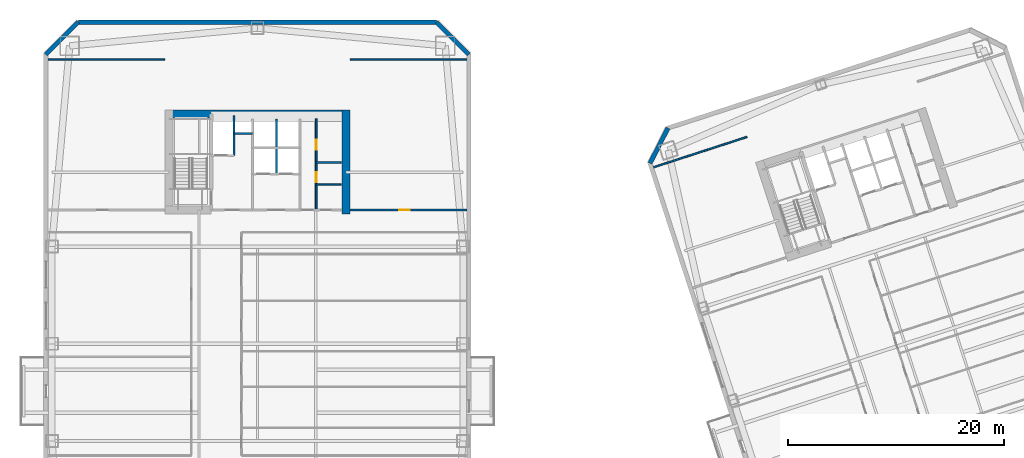
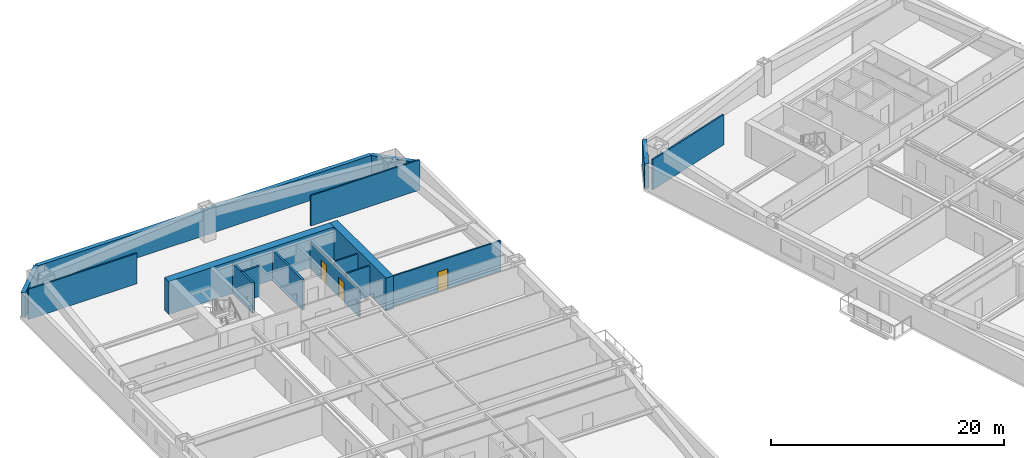
# One storey, part 7 of 15: 16 walls, 3 doors, 3 openings.
"""IFC4 building model written with IfcOpenShell, lengths in metres."""

from ifc_helpers import new_model, si_unit, direction, frame, frame_2d, origin, place, context, subcontext, project, spatial, rectangle, extrude, material, layer, layer_set, type_object, element, fill, save


model = new_model("IFC4")

# Units and contexts
model_context = context("Model", 3, precision=1e-05, world=origin(), true_north=direction((0.0, 1.0)))
body_context = subcontext(model_context, "Body", "Model", "MODEL_VIEW")
ifc_project = project(units=[si_unit("LENGTHUNIT", "METRE"), si_unit("AREAUNIT", "SQUARE_METRE"), si_unit("VOLUMEUNIT", "CUBIC_METRE"), si_unit("PLANEANGLEUNIT", "RADIAN"), si_unit("MASSUNIT", "GRAM", prefix="KILO")], contexts=[model_context])

# Site, building, storey
site_placement = place(None, origin())
site = spatial("IfcSite", under=ifc_project, at=site_placement, CompositionType="ELEMENT")
building_placement = place(site_placement, origin())
building = spatial("IfcBuilding", under=site, at=building_placement, Name="Qiaolan Cultural Towers", CompositionType="ELEMENT")
storey_placement = place(building_placement, frame((0.0, 0.0, 81.64990234375)))
storey = spatial("IfcBuildingStorey", under=building, at=storey_placement, Name="L20", CompositionType="ELEMENT", Elevation=81.64990234375)

# Walls
ifc_material_1 = material(Name="Concrete C60", Category="concrete")
ifc_layer_1 = layer(ifc_material_1, 0.75)
ifc_layer_set_1 = layer_set([ifc_layer_1], Name="Concrete C60")
wall_type_1 = type_object("IfcWallType", Name="WL-CORE-750", PredefinedType="SHEAR", material=ifc_layer_set_1)
wall_1_placement = place(storey_placement, frame((21.425048828125, 55.280029296875, 0.0), z_axis=(0.0, 0.0, 1.0), x_axis=(1.0, 0.0, 0.0)))
element("IfcWall", 1, at=wall_1_placement, inside=storey, type_object=wall_type_1, Name="L20 T1-CN Outer Core Shear Wall", PredefinedType="SHEAR", context=body_context, shape_type="SweptSolid", body=[
    extrude(rectangle(XDim=17.14990234375, YDim=0.75, at=frame_2d((8.574951171875, 0.0))), origin(), (0.0, 0.0, 1.0), 3.4501953125),
])
wall_2_placement = place(storey_placement, frame((38.199951171875, 46.02490234375, 0.0), z_axis=(0.0, 0.0, 1.0), x_axis=(0.0, 1.0, 0.0)))
element("IfcWall", 2, at=wall_2_placement, inside=storey, type_object=wall_type_1, Name="L20 T1-CN East Core Shear Wall", PredefinedType="SHEAR", context=body_context, shape_type="SweptSolid", body=[
    extrude(rectangle(XDim=9.630126953125, YDim=0.75, at=frame_2d((4.81494140625, 0.0))), origin(), (0.0, 0.0, 1.0), 3.4501953125),
])
ifc_material_2 = material(Name="Precast Concrete C50 Honed Stone Pier", Category="masonry")
ifc_layer_2 = layer(ifc_material_2, 0.39990234375)
ifc_layer_set_2 = layer_set([ifc_layer_2], Name="Precast Concrete C50 Honed Stone Pier")
wall_type_2 = type_object("IfcWallType", Name="WL-EXT-PIER-400", PredefinedType="SOLIDWALL", material=ifc_layer_set_2)
wall_3_placement = place(storey_placement, frame((10.39990234375, 60.800048828125, 0.0), z_axis=(0.0, 0.0, 1.0), x_axis=(0.707106781187, 0.707106781187, 0.0)))
element("IfcWall", 3, at=wall_3_placement, inside=storey, type_object=wall_type_2, Name="L20 West Tower Precast Pier Facade Wall F2", PredefinedType="SOLIDWALL", context=body_context, shape_type="SweptSolid", body=[
    extrude(rectangle(XDim=4.24267578125, YDim=0.39990234375, at=frame_2d((2.121337890625, 0.0))), origin(), (0.0, 0.0, 1.0), 2.610107421875),
])
wall_4_placement = place(storey_placement, frame((13.39990234375, 63.800048828125, 0.0), z_axis=(0.0, 0.0, 1.0), x_axis=(1.0, 0.0, 0.0)))
element("IfcWall", 4, at=wall_4_placement, inside=storey, type_object=wall_type_2, Name="L20 West Tower Precast Pier Facade Wall F3", PredefinedType="SOLIDWALL", context=body_context, shape_type="SweptSolid", body=[
    extrude(rectangle(XDim=33.2001953125, YDim=0.39990234375, at=frame_2d((16.60009765625, 0.0))), origin(), (0.0, 0.0, 1.0), 2.610107421875),
])
wall_5_placement = place(storey_placement, frame((46.60009765625, 63.800048828125, 0.0), z_axis=(0.0, 0.0, 1.0), x_axis=(0.707106781187, -0.707106781187, 0.0)))
element("IfcWall", 5, at=wall_5_placement, inside=storey, type_object=wall_type_2, Name="L20 West Tower Precast Pier Facade Wall F4", PredefinedType="SOLIDWALL", context=body_context, shape_type="SweptSolid", body=[
    extrude(rectangle(XDim=4.24267578125, YDim=0.39990234375, at=frame_2d((2.121337890625, 0.0))), origin(), (0.0, 0.0, 1.0), 2.610107421875),
])
wall_6_placement = place(storey_placement, frame((66.37744140625, 50.718505859375, 0.0), z_axis=(0.0, 0.0, 1.0), x_axis=(0.454026238093, 0.890988313685, 0.0)))
element("IfcWall", 6, at=wall_6_placement, inside=storey, type_object=wall_type_2, Name="L20 East Tower Precast Pier Facade Wall F2", PredefinedType="SOLIDWALL", context=body_context, shape_type="SweptSolid", body=[
    extrude(rectangle(XDim=3.677001953125, YDim=0.39990234375, at=frame_2d((1.83837890625, 0.0))), origin(), (0.0, 0.0, 1.0), 2.610107421875),
])
ifc_material_3 = material(Name="Concrete C35 Fire Wall", Category="concrete")
ifc_layer_3 = layer(ifc_material_3, 0.199951171875)
ifc_layer_set_3 = layer_set([ifc_layer_3], Name="Concrete C35 Fire Wall")
wall_type_3 = type_object("IfcWallType", Name="WL-FIRE-200", PredefinedType="PARTITIONING", material=ifc_layer_set_3)
wall_7_placement = place(storey_placement, frame((27.820068359375, 51.449951171875, 0.0), z_axis=(0.0, 0.0, 1.0), x_axis=(0.0, 1.0, 0.0)))
element("IfcWall", 7, at=wall_7_placement, inside=storey, type_object=wall_type_3, Name="L20 T1-CN Firefighting Hoistway East Wall", PredefinedType="PARTITIONING", context=body_context, shape_type="SweptSolid", body=[
    extrude(rectangle(XDim=3.699951171875, YDim=0.199951171875, at=frame_2d((1.85009765625, 0.0))), origin(), (0.0, 0.0, 1.0), 3.175048828125),
])
wall_8_placement = place(storey_placement, frame((27.820068359375, 53.47998046875, 0.0), z_axis=(0.0, 0.0, 1.0), x_axis=(1.0, 0.0, 0.0)))
element("IfcWall", 8, at=wall_8_placement, inside=storey, type_object=wall_type_3, Name="L20 T1-CN Pressurization Shaft Front Wall", PredefinedType="PARTITIONING", context=body_context, shape_type="SweptSolid", body=[
    extrude(rectangle(XDim=1.72998046875, YDim=0.199951171875, at=frame_2d((0.864990234375, 0.0))), origin(), (0.0, 0.0, 1.0), 3.175048828125),
])
wall_9_placement = place(storey_placement, frame((31.780029296875, 49.719970703125, 0.0), z_axis=(0.0, 0.0, 1.0), x_axis=(0.0, 1.0, 0.0)))
element("IfcWall", 9, at=wall_9_placement, inside=storey, type_object=wall_type_3, Name="L20 T1-CN Lift Shaft Divider Wall", PredefinedType="PARTITIONING", context=body_context, shape_type="SweptSolid", body=[
    extrude(rectangle(XDim=5.110107421875, YDim=0.199951171875, at=frame_2d((2.55517578125, 0.0))), origin(), (0.0, 0.0, 1.0), 3.175048828125),
])

# Wall, openings, doors
ifc_material_4 = material(Name="Autoclaved Aerated Concrete Block B06", Category="concrete")
ifc_layer_4 = layer(ifc_material_4, 0.14990234375)
ifc_layer_set_4 = layer_set([ifc_layer_4], Name="Autoclaved Aerated Concrete Block B06")
wall_type_4 = type_object("IfcWallType", Name="WL-PART-150", PredefinedType="PARTITIONING", material=ifc_layer_set_4)
wall_10_placement = place(storey_placement, frame((35.449951171875, 46.39990234375, 0.0), z_axis=(0.0, 0.0, 1.0), x_axis=(0.0, 1.0, 0.0)))
wall_10 = element("IfcWall", 10, at=wall_10_placement, inside=storey, type_object=wall_type_4, Name="L20 T1-CN Sanitary Corridor Wall", PredefinedType="PARTITIONING", context=body_context, shape_type="SweptSolid", body=[
    extrude(rectangle(XDim=8.43017578125, YDim=0.14990234375, at=frame_2d((4.215087890625, 0.0))), origin(), (0.0, 0.0, 1.0), 2.76513671875),
])
opening_1_placement = place(wall_10_placement, frame((2.550048828125, 0.0, 0.0)))
opening_1 = element("IfcOpeningElement", 11, at=opening_1_placement, cuts=wall_10, Name="Opening ID-05", PredefinedType="OPENING", context=body_context, shape_type="SweptSolid", body=[
    extrude(rectangle(XDim=0.949951171875, YDim=2.050048828125, at=frame_2d((0.47509765625, 1.02490234375))), frame((0.0, 0.0849609375, 0.0), z_axis=(0.0, -1.0, 0.0), x_axis=(1.0, 0.0, 0.0)), (0.0, 0.0, 1.0), 0.169921875),
])
opening_2_placement = place(wall_10_placement, frame((5.60009765625, 0.0, 0.0)))
opening_2 = element("IfcOpeningElement", 12, at=opening_2_placement, cuts=wall_10, Name="Opening ID-06", PredefinedType="OPENING", context=body_context, shape_type="SweptSolid", body=[
    extrude(rectangle(XDim=0.89990234375, YDim=2.050048828125, at=frame_2d((0.449951171875, 1.02490234375))), frame((0.0, 0.0849609375, 0.0), z_axis=(0.0, -1.0, 0.0), x_axis=(1.0, 0.0, 0.0)), (0.0, 0.0, 1.0), 0.169921875),
])
ifc_material_5 = material(Name="Fire-Rated Laminate Core Service Door", Category="timber")
door_type_1 = type_object("IfcDoorType", Name="DR-INT-900", OperationType="NOTDEFINED", PredefinedType="DOOR", material=ifc_material_5)
door_1_placement = place(opening_2_placement, origin())
door_1 = element("IfcDoor", 13, at=door_1_placement, inside=storey, type_object=door_type_1, Name="L20 Staff Restroom Door", OperationType="SINGLE_SWING_RIGHT", OverallHeight=2.050048828125, OverallWidth=0.89990234375, PredefinedType="DOOR", context=body_context, shape_type="SweptSolid", body=[
    extrude(rectangle(XDim=0.89990234375, YDim=2.050048828125, at=frame_2d((0.449951171875, 1.02490234375))), frame((0.0, 0.02490234375, 0.0), z_axis=(0.0, -1.0, 0.0), x_axis=(1.0, 0.0, 0.0)), (0.0, 0.0, 1.0), 0.050048828125),
])
fill(opening_2, door_1)
ifc_material_6 = material(Name="Fire-Rated Laminate Accessible Core Door", Category="timber")
door_type_2 = type_object("IfcDoorType", Name="DR-INT-950", OperationType="NOTDEFINED", PredefinedType="DOOR", material=ifc_material_6)
door_2_placement = place(opening_1_placement, origin())
door_2 = element("IfcDoor", 14, at=door_2_placement, inside=storey, type_object=door_type_2, Name="L20 Accessible Washroom Door", OperationType="SINGLE_SWING_LEFT", OverallHeight=2.050048828125, OverallWidth=0.949951171875, PredefinedType="DOOR", context=body_context, shape_type="SweptSolid", body=[
    extrude(rectangle(XDim=0.949951171875, YDim=2.050048828125, at=frame_2d((0.47509765625, 1.02490234375))), frame((0.0, 0.02490234375, 0.0), z_axis=(0.0, -1.0, 0.0), x_axis=(1.0, 0.0, 0.0)), (0.0, 0.0, 1.0), 0.050048828125),
])
fill(opening_1, door_2)

# Walls
for number, where, z_axis, x_axis, name in (
    (15, (35.449951171875, 50.800048828125, 0.0), (0.0, 0.0, 1.0), (1.0, 0.0, 0.0), "L20 T1-CN Restroom Split Wall"),
    (16, (35.449951171875, 48.75, 0.0), (0.0, 0.0, 1.0), (1.0, 0.0, 0.0), "L20 T1-CN Core Pantry Wall"),
):
    element("IfcWall", number, at=place(storey_placement, frame(where, z_axis=z_axis, x_axis=x_axis)), inside=storey, type_object=wall_type_4, Name=name, PredefinedType="PARTITIONING", context=body_context, shape_type="SweptSolid", body=[
        extrude(rectangle(XDim=2.300048828125, YDim=0.14990234375, at=frame_2d((1.14990234375, 0.0))), origin(), (0.0, 0.0, 1.0), 3.175048828125),
    ])
for number, where, z_axis, x_axis, name in (
    (17, (10.60009765625, 60.35009765625, 0.0), (0.0, 0.0, 1.0), (1.0, 0.0, 0.0), "L20 T1 Flank Wall FLK-NW"),
    (18, (38.60009765625, 60.35009765625, 0.0), (0.0, 0.0, 1.0), (1.0, 0.0, 0.0), "L20 T1 Flank Wall FLK-NE"),
):
    element("IfcWall", number, at=place(storey_placement, frame(where, z_axis=z_axis, x_axis=x_axis)), inside=storey, type_object=wall_type_4, Name=name, PredefinedType="PARTITIONING", context=body_context, shape_type="SweptSolid", body=[
        extrude(rectangle(XDim=10.7998046875, YDim=0.14990234375, at=frame_2d((5.39990234375, 0.0))), origin(), (0.0, 0.0, 1.0), 3.175048828125),
    ])

# Wall, opening, door
wall_11_placement = place(storey_placement, frame((38.60009765625, 46.39990234375, 0.0), z_axis=(0.0, 0.0, 1.0), x_axis=(1.0, 0.0, 0.0)))
wall_11 = element("IfcWall", 19, at=wall_11_placement, inside=storey, type_object=wall_type_4, Name="L20 T1 Flank Front FLK-NE", PredefinedType="PARTITIONING", context=body_context, shape_type="SweptSolid", body=[
    extrude(rectangle(XDim=10.7998046875, YDim=0.14990234375, at=frame_2d((5.39990234375, 0.0))), origin(), (0.0, 0.0, 1.0), 3.175048828125),
])
opening_3_placement = place(wall_11_placement, frame((4.535888671875, 0.0, 0.0)))
opening_3 = element("IfcOpeningElement", 20, at=opening_3_placement, cuts=wall_11, Name="Opening ID-04", PredefinedType="OPENING", context=body_context, shape_type="SweptSolid", body=[
    extrude(rectangle(XDim=1.0, YDim=2.050048828125, at=frame_2d((0.5, 1.02490234375))), frame((0.0, 0.0849609375, 0.0), z_axis=(0.0, -1.0, 0.0), x_axis=(1.0, 0.0, 0.0)), (0.0, 0.0, 1.0), 0.169921875),
])
ifc_material_7 = material(Name="Oak Veneer Acoustic Office Door", Category="timber")
door_type_3 = type_object("IfcDoorType", Name="DR-INT-1000", OperationType="NOTDEFINED", PredefinedType="DOOR", material=ifc_material_7)
door_3_placement = place(opening_3_placement, origin())
door_3 = element("IfcDoor", 21, at=door_3_placement, inside=storey, type_object=door_type_3, Name="L20 T1 Corner Studio Door", OperationType="SINGLE_SWING_LEFT", OverallHeight=2.050048828125, OverallWidth=1.0, PredefinedType="DOOR", context=body_context, shape_type="SweptSolid", body=[
    extrude(rectangle(XDim=1.0, YDim=2.050048828125, at=frame_2d((0.5, 1.02490234375))), frame((0.0, 0.02490234375, 0.0), z_axis=(0.0, -1.0, 0.0), x_axis=(1.0, 0.0, 0.0)), (0.0, 0.0, 1.0), 0.050048828125),
])
fill(opening_3, door_3)

# Wall
wall_12_placement = place(storey_placement, frame((66.706787109375, 50.352294921875, 0.0), z_axis=(0.0, 0.0, 1.0), x_axis=(0.951057133767, 0.309015093986, 0.0)))
element("IfcWall", 22, at=wall_12_placement, inside=storey, type_object=wall_type_4, Name="L20 T2 Flank Wall FLK-NW", PredefinedType="PARTITIONING", context=body_context, shape_type="SweptSolid", body=[
    extrude(rectangle(XDim=9.099853515625, YDim=0.14990234375, at=frame_2d((4.5498046875, 0.0))), origin(), (0.0, 0.0, 1.0), 3.175048828125),
])

save(model, "model.ifc")
